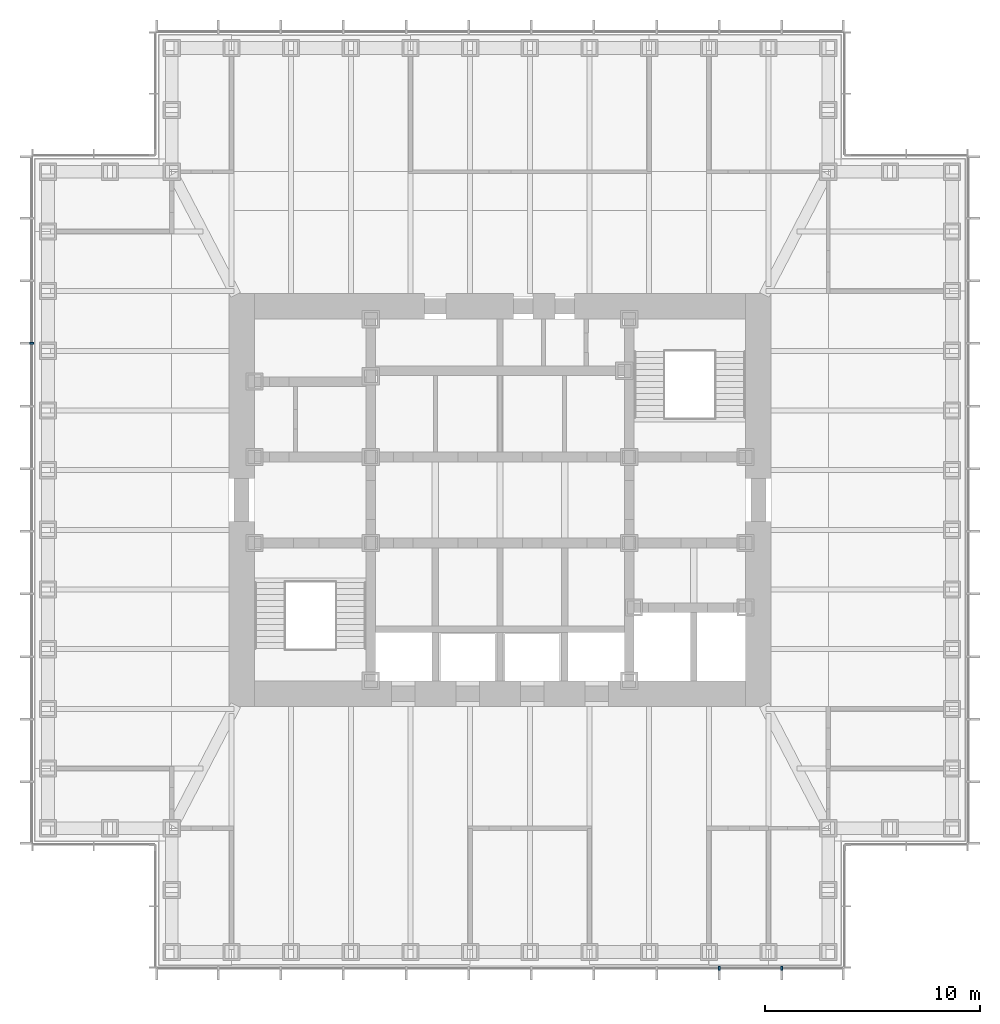
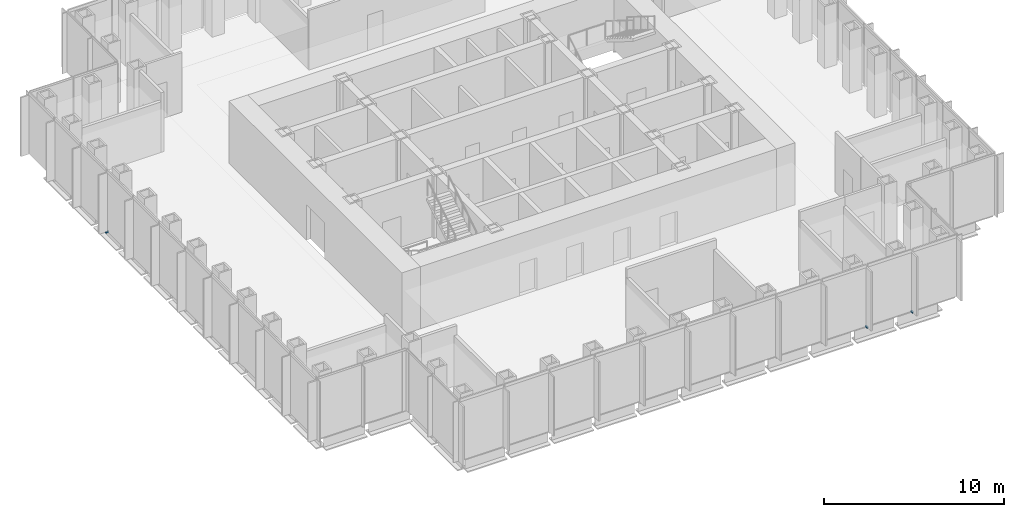
# One storey, part 12 of 16: 3 discrete accessories.
"""IFC4 building model written with IfcOpenShell, lengths in metres."""

import ifcopenshell
import ifcopenshell.guid

model = None  # the IFC model being written
_history = None  # IfcOwnerHistory: only IFC2X3 demands one
_inside = {}  # id of a spatial element -> (the spatial element, [elements in it])
_under = {}  # id of a project, library or spatial element -> (it, [spatial elements below it])
_declared = {}  # id of a project -> (the project, [libraries it declares])
_typed = {}  # id of a type object -> (the type object, [elements of that type])
_made_of = {}  # id of a material, layer set ... -> (it, [elements and type objects made of it])


def new_model(schema):
    """Start an empty IFC model of exactly this schema.

    Asked for "IFC4X3", IfcOpenShell would pick the latest addendum, in which some entities
    have other attributes; the version numbers below select the first issue.
    IFC2X3 requires an IfcOwnerHistory on every rooted entity: one is made here for all.
    """
    global model, _history
    if schema == "IFC4X3":
        model = ifcopenshell.file(schema_version=(4, 3, 0, 0))
    else:
        model = ifcopenshell.file(schema=schema)
    _inside.clear()
    _under.clear()
    _declared.clear()
    _typed.clear()
    _made_of.clear()
    _history = None
    if model.schema == "IFC2X3":
        org = make("IfcOrganization", Name="unknown")
        user = make(
            "IfcPersonAndOrganization",
            ThePerson=make("IfcPerson", FamilyName="unknown"),
            TheOrganization=org,
        )
        app = make(
            "IfcApplication",
            ApplicationDeveloper=org,
            Version="unknown",
            ApplicationFullName="unknown",
            ApplicationIdentifier="unknown",
        )
        _history = make(
            "IfcOwnerHistory",
            OwningUser=user,
            OwningApplication=app,
            ChangeAction="ADDED",
            CreationDate=0,
        )
    return model


def make(cls, **values):
    """One entity of the class cls with the attributes given. An attribute that is None is left unset."""
    return model.create_entity(
        cls, **{name: value for name, value in values.items() if value is not None}
    )


def rooted(cls, **values):
    """An entity with a GlobalId (a new one), such as an element, a storey or a relation."""
    return make(cls, GlobalId=ifcopenshell.guid.new(), OwnerHistory=_history, **values)


def si_unit(unit_type, name, prefix=None):
    """IfcSIUnit, for example si_unit("LENGTHUNIT", "METRE", prefix="MILLI")."""
    return make("IfcSIUnit", UnitType=unit_type, Prefix=prefix, Name=name)


def assignment(units):
    """IfcUnitAssignment: the units of a project."""
    return None if units is None else make("IfcUnitAssignment", Units=units)


def point(xyz):
    """IfcCartesianPoint."""
    return None if xyz is None else make("IfcCartesianPoint", Coordinates=xyz)


def direction(xyz):
    """IfcDirection."""
    return None if xyz is None else make("IfcDirection", DirectionRatios=xyz)


def frame(location, z_axis=None, x_axis=None):
    """IfcAxis2Placement3D, a coordinate frame: its origin and axes. An axis left out is left unset."""
    return make(
        "IfcAxis2Placement3D",
        Location=point(location),
        Axis=direction(z_axis),
        RefDirection=direction(x_axis),
    )


def frame_2d(location, x_axis=None):
    """IfcAxis2Placement2D, a coordinate frame in the plane: its origin and x axis."""
    return make(
        "IfcAxis2Placement2D", Location=point(location), RefDirection=direction(x_axis)
    )


def origin():
    """The frame at (0, 0, 0) with its axes left unset."""
    return frame((0.0, 0.0, 0.0))


def origin_2d():
    """The frame at (0, 0) in the plane with its x axis left unset."""
    return frame_2d((0.0, 0.0))


def place(relative_to, where):
    """IfcLocalPlacement: puts the frame where relative to a parent placement (None: the world)."""
    return make(
        "IfcLocalPlacement", PlacementRelTo=relative_to, RelativePlacement=where
    )


def context(
    kind, dimensions, precision=None, world=None, true_north=None, identifier=None
):
    """IfcGeometricRepresentationContext, for example the 3D "Model" context."""
    return make(
        "IfcGeometricRepresentationContext",
        ContextIdentifier=identifier,
        ContextType=kind,
        CoordinateSpaceDimension=dimensions,
        Precision=precision,
        WorldCoordinateSystem=world,
        TrueNorth=true_north,
    )


def subcontext(parent, identifier, kind, view, scale=None):
    """IfcGeometricRepresentationSubContext, for example "Body" below "Model"."""
    return make(
        "IfcGeometricRepresentationSubContext",
        ContextIdentifier=identifier,
        ContextType=kind,
        ParentContext=parent,
        TargetScale=scale,
        TargetView=view,
    )


def project(units=None, contexts=None):
    """IfcProject with its units and contexts."""
    return rooted(
        "IfcProject",
        Name="project",
        RepresentationContexts=contexts,
        UnitsInContext=assignment(units),
    )


def spatial(cls, under=None, at=None, **own):
    """A site, building, storey or space (cls), placed at a placement, below another one or the project."""
    s = rooted(cls, ObjectPlacement=at, **own)
    if under is not None:
        _under.setdefault(under.id(), (under, []))[1].append(s)
    return s


def profile(cls, at=None, kind="AREA", **sizes):
    """A parametric profile (cls). Its sizes go by their IFC names, for example OverallWidth=200.0."""
    return make(cls, ProfileType=kind, Position=at, **sizes)


def rectangle(**sizes):
    """IfcRectangleProfileDef."""
    return profile("IfcRectangleProfileDef", **sizes)


def extrude(swept, where, along, depth):
    """IfcExtrudedAreaSolid: the profile swept, set in the frame where, extruded along a direction by depth."""
    return make(
        "IfcExtrudedAreaSolid",
        SweptArea=swept,
        Position=where,
        ExtrudedDirection=direction(along),
        Depth=depth,
    )


def shape(context_of_items, identifier, shape_type, items):
    """IfcShapeRepresentation: the items that make up one representation, for example the "Body"."""
    return make(
        "IfcShapeRepresentation",
        ContextOfItems=context_of_items,
        RepresentationIdentifier=identifier,
        RepresentationType=shape_type,
        Items=items,
    )


def made_of(thing, what):
    """Note that an element or type object is made of a material, layer set ...; save() writes the relation."""
    if what is not None:
        _made_of.setdefault(what.id(), (what, []))[1].append(thing)
    return thing


def element(
    cls,
    number,
    at=None,
    inside=None,
    cuts=None,
    type_object=None,
    material=None,
    context=None,
    identifier="Body",
    shape_type=None,
    held_by="IfcProductDefinitionShape",
    body=None,
    shapes=None,
    **own,
):
    """One element of the class cls, such as IfcWall. Its Tag is "e" and its number.

    at: its placement. inside: the storey or other place that contains it. cuts: it is an
    opening in that element (IfcRelVoidsElement). A single representation is given by context,
    identifier, shape_type and body (its items); several are given by shapes. held_by: the class
    of the entity that holds the representations. save() writes the other relations.
    """
    e = rooted(cls, Tag="e%d" % number, ObjectPlacement=at, **own)
    if body is not None:
        shapes = [shape(context, identifier, shape_type, body)]
    if shapes is not None:
        e.Representation = make(held_by, Representations=shapes)
    if inside is not None:
        _inside.setdefault(inside.id(), (inside, []))[1].append(e)
    if cuts is not None:
        rooted(
            "IfcRelVoidsElement", RelatingBuildingElement=cuts, RelatedOpeningElement=e
        )
    if type_object is not None:
        _typed.setdefault(type_object.id(), (type_object, []))[1].append(e)
    return made_of(e, material)


def aggregate(whole, parts):
    """IfcRelAggregates: a whole, such as a stair, and the parts it consists of."""
    return rooted("IfcRelAggregates", RelatingObject=whole, RelatedObjects=parts)


def save(model, path):
    """Write the relations noted so far, then the file.

    IfcRelAggregates (storeys below a building ...), IfcRelContainedInSpatialStructure (elements
    in a storey), IfcRelDefinesByType, IfcRelAssociatesMaterial and IfcRelDeclares: one each for
    every whole, place, type object, material and project.
    """
    for whole, parts in _under.values():
        aggregate(whole, parts)
    for where, things in _inside.values():
        rooted(
            "IfcRelContainedInSpatialStructure",
            RelatedElements=things,
            RelatingStructure=where,
        )
    for kind, things in _typed.values():
        rooted("IfcRelDefinesByType", RelatedObjects=things, RelatingType=kind)
    for what, things in _made_of.values():
        rooted("IfcRelAssociatesMaterial", RelatedObjects=things, RelatingMaterial=what)
    for by, libraries in _declared.values():
        rooted("IfcRelDeclares", RelatingContext=by, RelatedDefinitions=libraries)
    model.write(path)


model = new_model("IFC4")

# Units and contexts
model_context = context("Model", 3, precision=1e-05, world=origin(), true_north=direction((0.0, 1.0)))
body_context = subcontext(model_context, "Body", "Model", "MODEL_VIEW")
ifc_project = project(units=[si_unit("LENGTHUNIT", "METRE"), si_unit("AREAUNIT", "SQUARE_METRE"), si_unit("VOLUMEUNIT", "CUBIC_METRE"), si_unit("PLANEANGLEUNIT", "RADIAN"), si_unit("MASSUNIT", "GRAM", prefix="KILO")], contexts=[model_context])

# Site, building, storey
site_placement = place(None, origin())
site = spatial("IfcSite", under=ifc_project, at=site_placement, CompositionType="ELEMENT")
building_placement = place(site_placement, origin())
building = spatial("IfcBuilding", under=site, at=building_placement, Name="Daluyong Arena Tower", CompositionType="ELEMENT")
storey_placement = place(building_placement, frame((0.0, 0.0, 258.699951171875)))
storey = spatial("IfcBuildingStorey", under=building, at=storey_placement, Name="L58", CompositionType="ELEMENT", Elevation=258.699951171875)

# Discrete accessories
for number, where, z_axis, x_axis, name in (
    (1, (66.181884765625, 58.25, -0.10009765625), (0.0, 0.0, 1.0), (1.0, 0.0, 0.0), "curtain wall L58 S anchor bracket 10"),
    (2, (69.0908203125, 58.25, -0.10009765625), (0.0, 0.0, 1.0), (1.0, 0.0, 0.0), "curtain wall L58 S anchor bracket 11"),
    (3, (34.25, 87.272705078125, -0.10009765625), (0.0, 0.0, 1.0), (0.0, -1.0, 0.0), "curtain wall L58 W anchor bracket 4"),
):
    element("IfcDiscreteAccessory", number, at=place(storey_placement, frame(where, z_axis=z_axis, x_axis=x_axis)), inside=storey, Name=name, PredefinedType="BRACKET", context=body_context, shape_type="SweptSolid", body=[
        extrude(rectangle(XDim=0.090087890625, YDim=0.199951171875, at=origin_2d()), origin(), (0.0, 0.0, 1.0), 0.10009765625),
    ])

save(model, "model.ifc")
